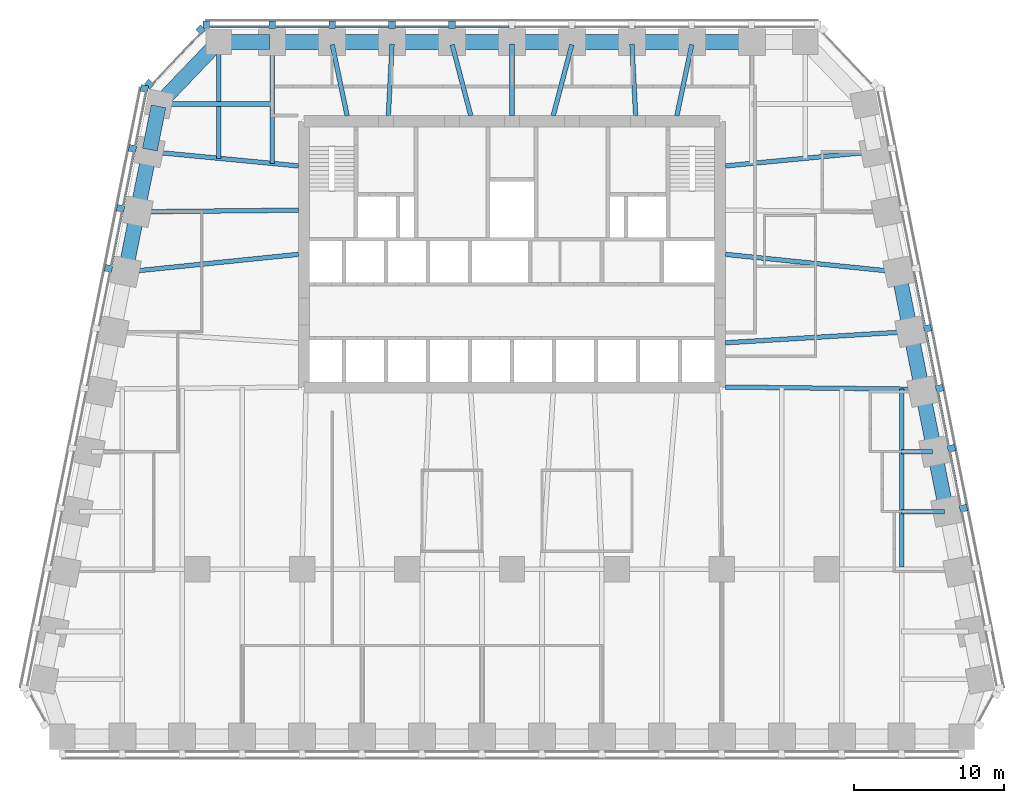
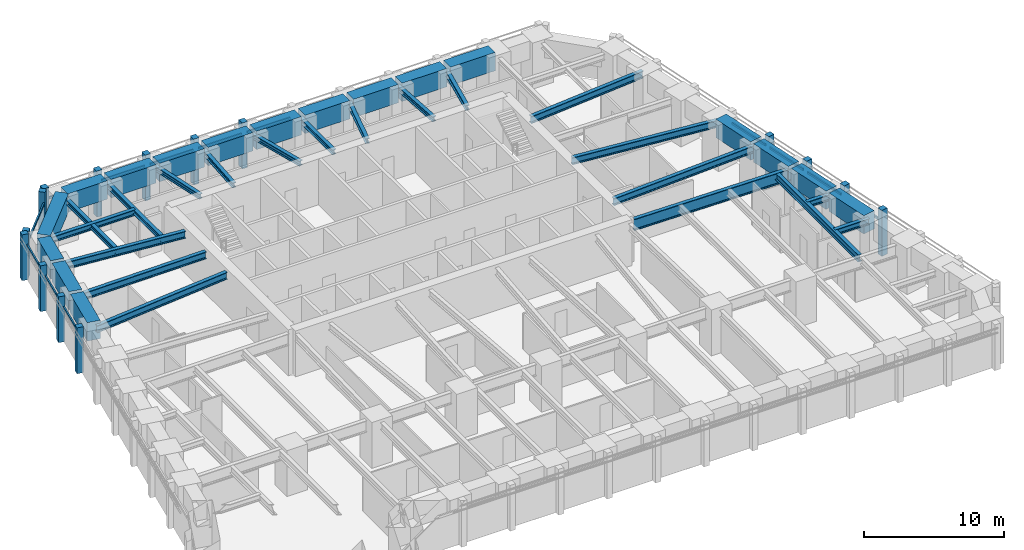
# One storey, part 3 of 10: 37 beams, 28 members, 4 elements without a shape of their own.
"""IFC4 building model written with IfcOpenShell, lengths in metres."""

from ifc_helpers import new_model, si_unit, direction, frame, origin, origin_2d, place, context, subcontext, project, spatial, rectangle, i_section, extrude, material, material_profile, profile_set, type_object, element, aggregate, save


model = new_model("IFC4")

# Units and contexts
model_context = context("Model", 3, precision=1e-05, world=origin(), true_north=direction((0.0, 1.0)))
body_context = subcontext(model_context, "Body", "Model", "MODEL_VIEW")
ifc_project = project(units=[si_unit("LENGTHUNIT", "METRE"), si_unit("AREAUNIT", "SQUARE_METRE"), si_unit("VOLUMEUNIT", "CUBIC_METRE"), si_unit("PLANEANGLEUNIT", "RADIAN"), si_unit("MASSUNIT", "GRAM", prefix="KILO")], contexts=[model_context])

# Site, building, storey
site_placement = place(None, origin())
site = spatial("IfcSite", under=ifc_project, at=site_placement, CompositionType="ELEMENT")
building_placement = place(site_placement, origin())
building = spatial("IfcBuilding", under=site, at=building_placement, Name="Isbrekke Arena Tower", CompositionType="ELEMENT")
storey_placement = place(building_placement, frame((0.0, 0.0, 163.0)))
storey = spatial("IfcBuildingStorey", under=building, at=storey_placement, Name="L37", CompositionType="ELEMENT", Elevation=163.0)

# Beams
ifc_material_1 = material(Name="Steel S355", Category="steel")
ifc_material_profile_1 = material_profile(ifc_material_1, i_section(OverallWidth=0.304931640625, OverallDepth=0.6201171875, WebThickness=0.02099609375, FlangeThickness=0.0400390625, FilletRadius=0.027099609375, at=origin_2d()), Name="HEM 600")
ifc_profile_set_1 = profile_set([ifc_material_profile_1], Name="Steel S355")
beam_type_1 = type_object("IfcBeamType", Name="B4 HEM 600", PredefinedType="BEAM", material=ifc_profile_set_1)
beam_1_placement = place(storey_placement, frame((26.0, -5.84912109375, 3.43994140625), z_axis=(0.0, 1.0, 0.0), x_axis=(-1.0, 0.0, 0.0)))
element("IfcBeam", 1, at=beam_1_placement, inside=storey, type_object=beam_type_1, Name="B4 beam C-M14 L37", PredefinedType="BEAM", context=body_context, shape_type="SweptSolid", body=[
    extrude(i_section(OverallWidth=0.304931640625, OverallDepth=0.6201171875, WebThickness=0.02099609375, FlangeThickness=0.0400390625, FilletRadius=0.027099609375, at=origin_2d()), origin(), (0.0, 0.0, 1.0), 11.864990234375),
])
beam_2_placement = place(storey_placement, frame((26.431884765625, 9.837646484375, 3.43994140625), z_axis=(-0.998172191876, -0.060434057993, 0.0), x_axis=(0.060434057993, -0.998172191876, 0.0)))
element("IfcBeam", 2, at=beam_2_placement, inside=storey, type_object=beam_type_1, Name="B4 beam E-E07 L37", PredefinedType="BEAM", context=body_context, shape_type="SweptSolid", body=[
    extrude(i_section(OverallWidth=0.304931640625, OverallDepth=0.6201171875, WebThickness=0.02099609375, FlangeThickness=0.0400390625, FilletRadius=0.027099609375, at=origin_2d()), origin(), (0.0, 0.0, 1.0), 12.2041015625),
])
beam_3_placement = place(storey_placement, frame((25.625732421875, 13.83984375, 3.43994140625), z_axis=(-0.994839729543, 0.101458920373, 0.0), x_axis=(-0.101458920373, -0.994839729543, 0.0)))
element("IfcBeam", 3, at=beam_3_placement, inside=storey, type_object=beam_type_1, Name="B4 beam E-E08 L37", PredefinedType="BEAM", context=body_context, shape_type="SweptSolid", body=[
    extrude(i_section(OverallWidth=0.304931640625, OverallDepth=0.6201171875, WebThickness=0.02099609375, FlangeThickness=0.0400390625, FilletRadius=0.027099609375, at=origin_2d()), origin(), (0.0, 0.0, 1.0), 11.434814453125),
])
for number, where, z_axis, x_axis, name in (
    (4, (24.026611328125, 21.8369140625, 3.43994140625), (-0.995438539788, -0.095404997271, 0.0), (0.095404997271, -0.995438539788, 0.0), "B4 beam E-E10 L37"),
    (5, (-24.026611328125, 21.8369140625, 3.43994140625), (0.995438539788, -0.095404997271, 0.0), (0.095404997271, 0.995438539788, 0.0), "B4 beam E-W02 L37"),
):
    element("IfcBeam", number, at=place(storey_placement, frame(where, z_axis=z_axis, x_axis=x_axis)), inside=storey, type_object=beam_type_1, Name=name, PredefinedType="BEAM", context=body_context, shape_type="SweptSolid", body=[
        extrude(i_section(OverallWidth=0.304931640625, OverallDepth=0.6201171875, WebThickness=0.02099609375, FlangeThickness=0.0400390625, FilletRadius=0.027099609375, at=origin_2d()), origin(), (0.0, 0.0, 1.0), 9.821533203125),
    ])
beam_4_placement = place(storey_placement, frame((-24.83935546875, 17.838134765625, 3.43994140625), z_axis=(0.999944255029, 0.010558732623, 0.0), x_axis=(-0.010558732623, 0.999944255029, 0.0)))
element("IfcBeam", 6, at=beam_4_placement, inside=storey, type_object=beam_type_1, Name="B4 beam E-W03 L37", PredefinedType="BEAM", context=body_context, shape_type="SweptSolid", body=[
    extrude(i_section(OverallWidth=0.304931640625, OverallDepth=0.6201171875, WebThickness=0.02099609375, FlangeThickness=0.0400390625, FilletRadius=0.027099609375, at=origin_2d()), origin(), (0.0, 0.0, 1.0), 10.58984375),
])
beam_5_placement = place(storey_placement, frame((-25.625732421875, 13.83984375, 3.43994140625), z_axis=(0.994839729543, 0.101458920373, 0.0), x_axis=(-0.101458920373, 0.994839729543, 0.0)))
element("IfcBeam", 7, at=beam_5_placement, inside=storey, type_object=beam_type_1, Name="B4 beam E-W04 L37", PredefinedType="BEAM", context=body_context, shape_type="SweptSolid", body=[
    extrude(i_section(OverallWidth=0.304931640625, OverallDepth=0.6201171875, WebThickness=0.02099609375, FlangeThickness=0.0400390625, FilletRadius=0.027099609375, at=origin_2d()), origin(), (0.0, 0.0, 1.0), 11.434814453125),
])
ifc_material_2 = material(Name="Steel S355", Category="steel")
ifc_material_profile_2 = material_profile(ifc_material_2, i_section(OverallWidth=0.305908203125, OverallDepth=0.52392578125, WebThickness=0.02099609375, FlangeThickness=0.0400390625, FilletRadius=0.027099609375, at=origin_2d()), Name="HEM 500")
ifc_profile_set_2 = profile_set([ifc_material_profile_2], Name="Steel S355")
beam_type_2 = type_object("IfcBeamType", Name="B5 HEM 500", PredefinedType="BEAM", material=ifc_profile_set_2)
beam_6_placement = place(storey_placement, frame((28.841064453125, -2.161865234375, 3.488037109375), z_axis=(-1.0, 0.0, 0.0), x_axis=(0.0, -1.0, 0.0)))
element("IfcBeam", 8, at=beam_6_placement, inside=storey, type_object=beam_type_2, Name="B5 beam E-E04 L37", PredefinedType="BEAM", context=body_context, shape_type="SweptSolid", body=[
    extrude(i_section(OverallWidth=0.305908203125, OverallDepth=0.52392578125, WebThickness=0.02099609375, FlangeThickness=0.0400390625, FilletRadius=0.027099609375, at=origin_2d()), origin(), (0.0, 0.0, 1.0), 2.841064453125),
])
beam_7_placement = place(storey_placement, frame((28.041015625, 1.838134765625, 3.488037109375), z_axis=(-1.0, 0.0, 0.0), x_axis=(0.0, -1.0, 0.0)))
element("IfcBeam", 9, at=beam_7_placement, inside=storey, type_object=beam_type_2, Name="B5 beam E-E05 L37", PredefinedType="BEAM", context=body_context, shape_type="SweptSolid", body=[
    extrude(i_section(OverallWidth=0.305908203125, OverallDepth=0.52392578125, WebThickness=0.02099609375, FlangeThickness=0.0400390625, FilletRadius=0.027099609375, at=origin_2d()), origin(), (0.0, 0.0, 1.0), 2.041015625),
])
beam_8_placement = place(storey_placement, frame((-23.40283203125, 25.029296875, 3.488037109375), z_axis=(1.0, 0.0, 0.0), x_axis=(0.0, 1.0, 0.0)))
element("IfcBeam", 10, at=beam_8_placement, inside=storey, type_object=beam_type_2, Name="B5 beam E-W01 L37", PredefinedType="BEAM", context=body_context, shape_type="SweptSolid", body=[
    extrude(i_section(OverallWidth=0.305908203125, OverallDepth=0.52392578125, WebThickness=0.02099609375, FlangeThickness=0.0400390625, FilletRadius=0.027099609375, at=origin_2d()), origin(), (0.0, 0.0, 1.0), 7.40283203125),
])
ifc_material_3 = material(Name="Steel S355", Category="steel")
ifc_material_profile_3 = material_profile(ifc_material_3, i_section(OverallWidth=0.306884765625, OverallDepth=0.431884765625, WebThickness=0.02099609375, FlangeThickness=0.0400390625, FilletRadius=0.027099609375, at=origin_2d()), Name="HEM 400")
ifc_profile_set_3 = profile_set([ifc_material_profile_3], Name="Steel S355")
beam_type_3 = type_object("IfcBeamType", Name="B6 HEM 400", PredefinedType="BEAM", material=ifc_profile_set_3)
beam_9_placement = place(storey_placement, frame((-16.0, 29.02490234375, 3.533935546875), z_axis=(0.0, -1.0, 0.0), x_axis=(1.0, 0.0, 0.0)))
element("IfcBeam", 11, at=beam_9_placement, inside=storey, type_object=beam_type_3, Name="B6 beam N-N10 L37", PredefinedType="BEAM", context=body_context, shape_type="SweptSolid", body=[
    extrude(i_section(OverallWidth=0.306884765625, OverallDepth=0.431884765625, WebThickness=0.02099609375, FlangeThickness=0.0400390625, FilletRadius=0.027099609375, at=origin_2d()), origin(), (0.0, 0.0, 1.0), 7.957275390625),
])
beam_10_placement = place(storey_placement, frame((-19.574951171875, 29.02490234375, 3.533935546875), z_axis=(0.0, -1.0, 0.0), x_axis=(1.0, 0.0, 0.0)))
element("IfcBeam", 12, at=beam_10_placement, inside=storey, type_object=beam_type_3, Name="B6 beam N-N11 L37", PredefinedType="BEAM", context=body_context, shape_type="SweptSolid", body=[
    extrude(i_section(OverallWidth=0.306884765625, OverallDepth=0.431884765625, WebThickness=0.02099609375, FlangeThickness=0.0400390625, FilletRadius=0.027099609375, at=origin_2d()), origin(), (0.0, 0.0, 1.0), 7.61474609375),
])
beam_11_placement = place(storey_placement, frame((11.99365234375, 28.994140625, 3.533935546875), z_axis=(-0.205000060664, -0.978761960401, 0.0), x_axis=(0.978761960401, -0.205000060664, 0.0)))
element("IfcBeam", 13, at=beam_11_placement, inside=storey, type_object=beam_type_3, Name="B6 beam N-N03 L37", PredefinedType="BEAM", context=body_context, shape_type="SweptSolid", body=[
    extrude(i_section(OverallWidth=0.306884765625, OverallDepth=0.431884765625, WebThickness=0.02099609375, FlangeThickness=0.0400390625, FilletRadius=0.027099609375, at=origin_2d()), origin(), (0.0, 0.0, 1.0), 4.84716796875),
])
beam_12_placement = place(storey_placement, frame((8.00048828125, 29.01708984375, 3.533935546875), z_axis=(0.052268922084, -0.99863304561, 0.0), x_axis=(0.99863304561, 0.052268922084, 0.0)))
element("IfcBeam", 14, at=beam_12_placement, inside=storey, type_object=beam_type_3, Name="B6 beam N-N04 L37", PredefinedType="BEAM", context=body_context, shape_type="SweptSolid", body=[
    extrude(i_section(OverallWidth=0.306884765625, OverallDepth=0.431884765625, WebThickness=0.02099609375, FlangeThickness=0.0400390625, FilletRadius=0.027099609375, at=origin_2d()), origin(), (0.0, 0.0, 1.0), 4.773681640625),
])
beam_13_placement = place(storey_placement, frame((3.990234375, 28.9873046875, 3.533935546875), z_axis=(-0.253266080154, -0.967396657346, 0.0), x_axis=(0.967396657346, -0.253266080154, 0.0)))
element("IfcBeam", 15, at=beam_13_placement, inside=storey, type_object=beam_type_3, Name="B6 beam N-N05 L37", PredefinedType="BEAM", context=body_context, shape_type="SweptSolid", body=[
    extrude(i_section(OverallWidth=0.306884765625, OverallDepth=0.431884765625, WebThickness=0.02099609375, FlangeThickness=0.0400390625, FilletRadius=0.027099609375, at=origin_2d()), origin(), (0.0, 0.0, 1.0), 4.89697265625),
])
beam_14_placement = place(storey_placement, frame((0.0, 29.02490234375, 3.533935546875), z_axis=(0.0, -1.0, 0.0), x_axis=(1.0, 0.0, 0.0)))
element("IfcBeam", 16, at=beam_14_placement, inside=storey, type_object=beam_type_3, Name="B6 beam N-N06 L37", PredefinedType="BEAM", context=body_context, shape_type="SweptSolid", body=[
    extrude(i_section(OverallWidth=0.306884765625, OverallDepth=0.431884765625, WebThickness=0.02099609375, FlangeThickness=0.0400390625, FilletRadius=0.027099609375, at=origin_2d()), origin(), (0.0, 0.0, 1.0), 4.77490234375),
])
beam_15_placement = place(storey_placement, frame((-3.990234375, 28.9873046875, 3.533935546875), z_axis=(0.253266080154, -0.967396657346, 0.0), x_axis=(0.967396657346, 0.253266080154, 0.0)))
element("IfcBeam", 17, at=beam_15_placement, inside=storey, type_object=beam_type_3, Name="B6 beam N-N07 L37", PredefinedType="BEAM", context=body_context, shape_type="SweptSolid", body=[
    extrude(i_section(OverallWidth=0.306884765625, OverallDepth=0.431884765625, WebThickness=0.02099609375, FlangeThickness=0.0400390625, FilletRadius=0.027099609375, at=origin_2d()), origin(), (0.0, 0.0, 1.0), 4.89697265625),
])
beam_16_placement = place(storey_placement, frame((-8.00048828125, 29.01708984375, 3.533935546875), z_axis=(-0.052268922084, -0.99863304561, 0.0), x_axis=(0.99863304561, -0.052268922084, 0.0)))
element("IfcBeam", 18, at=beam_16_placement, inside=storey, type_object=beam_type_3, Name="B6 beam N-N08 L37", PredefinedType="BEAM", context=body_context, shape_type="SweptSolid", body=[
    extrude(i_section(OverallWidth=0.306884765625, OverallDepth=0.431884765625, WebThickness=0.02099609375, FlangeThickness=0.0400390625, FilletRadius=0.027099609375, at=origin_2d()), origin(), (0.0, 0.0, 1.0), 4.773681640625),
])
beam_17_placement = place(storey_placement, frame((-11.99365234375, 28.994140625, 3.533935546875), z_axis=(0.205000060664, -0.978761960401, 0.0), x_axis=(0.978761960401, 0.205000060664, 0.0)))
element("IfcBeam", 19, at=beam_17_placement, inside=storey, type_object=beam_type_3, Name="B6 beam N-N09 L37", PredefinedType="BEAM", context=body_context, shape_type="SweptSolid", body=[
    extrude(i_section(OverallWidth=0.306884765625, OverallDepth=0.431884765625, WebThickness=0.02099609375, FlangeThickness=0.0400390625, FilletRadius=0.027099609375, at=origin_2d()), origin(), (0.0, 0.0, 1.0), 4.84716796875),
])

# Curtain wall, members
ifc_material_4 = material(Name="Glazed aluminium curtain wall", Category="aluminium")
curtain_wall_type = type_object("IfcCurtainWallType", Name="CWM TOWER CURTAIN WALL MID ZONE", PredefinedType="USERDEFINED", material=ifc_material_4)
curtain_wall_1_placement = place(storey_placement, origin())
curtain_wall_1 = element("IfcCurtainWall", 20, at=curtain_wall_1_placement, inside=storey, type_object=curtain_wall_type, Name="CWM curtain wall L37-E", ObjectType="TOWER CURTAIN WALL MID ZONE", PredefinedType="USERDEFINED")
ifc_material_5 = material(Name="Aluminium mullion, pale brick slip cladding", Category="masonry")
ifc_material_profile_4 = material_profile(ifc_material_5, rectangle(XDim=0.449951171875, YDim=0.5, at=origin_2d()), Name="PIER 450X500")
ifc_profile_set_4 = profile_set([ifc_material_profile_4], Name="Aluminium mullion, pale brick slip cladding")
member_type_1 = type_object("IfcMemberType", Name="CWM-M PIER MULLION 450 x 500", PredefinedType="MULLION", material=ifc_profile_set_4)
member_1_placement = place(storey_placement, frame((30.11865234375, -1.936279296875, 0.0), z_axis=(0.0, 0.0, 1.0), x_axis=(-0.196116135138, 0.980580675691, 0.0)))
member_1 = element("IfcMember", 21, at=member_1_placement, type_object=member_type_1, Name="CWM-M mullion 4", PredefinedType="MULLION", context=body_context, shape_type="SweptSolid", body=[
    extrude(rectangle(XDim=0.449951171875, YDim=0.5, at=origin_2d()), origin(), (0.0, 0.0, 1.0), 4.0),
])
member_2_placement = place(storey_placement, frame((29.318603515625, 2.063720703125, 0.0), z_axis=(0.0, 0.0, 1.0), x_axis=(-0.196116135138, 0.980580675691, 0.0)))
member_2 = element("IfcMember", 22, at=member_2_placement, type_object=member_type_1, Name="CWM-M mullion 5", PredefinedType="MULLION", context=body_context, shape_type="SweptSolid", body=[
    extrude(rectangle(XDim=0.449951171875, YDim=0.5, at=origin_2d()), origin(), (0.0, 0.0, 1.0), 4.0),
])
member_3_placement = place(storey_placement, frame((28.518798828125, 6.063720703125, 0.0), z_axis=(0.0, 0.0, 1.0), x_axis=(-0.196116135138, 0.980580675691, 0.0)))
member_3 = element("IfcMember", 23, at=member_3_placement, type_object=member_type_1, Name="CWM-M mullion 6", PredefinedType="MULLION", context=body_context, shape_type="SweptSolid", body=[
    extrude(rectangle(XDim=0.449951171875, YDim=0.5, at=origin_2d()), origin(), (0.0, 0.0, 1.0), 4.0),
])
member_4_placement = place(storey_placement, frame((27.71875, 10.063720703125, 0.0), z_axis=(0.0, 0.0, 1.0), x_axis=(-0.196116135138, 0.980580675691, 0.0)))
member_4 = element("IfcMember", 24, at=member_4_placement, type_object=member_type_1, Name="CWM-M mullion 7", PredefinedType="MULLION", context=body_context, shape_type="SweptSolid", body=[
    extrude(rectangle(XDim=0.449951171875, YDim=0.5, at=origin_2d()), origin(), (0.0, 0.0, 1.0), 4.0),
])

curtain_wall_2_placement = place(storey_placement, origin())
curtain_wall_2 = element("IfcCurtainWall", 25, at=curtain_wall_2_placement, inside=storey, type_object=curtain_wall_type, Name="CWM curtain wall L37-N", ObjectType="TOWER CURTAIN WALL MID ZONE", PredefinedType="USERDEFINED")
member_5_placement = place(storey_placement, frame((-4.0, 30.324951171875, 0.0), z_axis=(0.0, 0.0, 1.0), x_axis=(-1.0, 0.0, 0.0)))
member_5 = element("IfcMember", 26, at=member_5_placement, type_object=member_type_1, Name="CWM-M mullion 7", PredefinedType="MULLION", context=body_context, shape_type="SweptSolid", body=[
    extrude(rectangle(XDim=0.449951171875, YDim=0.5, at=origin_2d()), origin(), (0.0, 0.0, 1.0), 4.0),
])
member_6_placement = place(storey_placement, frame((-8.0, 30.324951171875, 0.0), z_axis=(0.0, 0.0, 1.0), x_axis=(-1.0, 0.0, 0.0)))
member_6 = element("IfcMember", 27, at=member_6_placement, type_object=member_type_1, Name="CWM-M mullion 8", PredefinedType="MULLION", context=body_context, shape_type="SweptSolid", body=[
    extrude(rectangle(XDim=0.449951171875, YDim=0.5, at=origin_2d()), origin(), (0.0, 0.0, 1.0), 4.0),
])
member_7_placement = place(storey_placement, frame((-12.0, 30.324951171875, 0.0), z_axis=(0.0, 0.0, 1.0), x_axis=(-1.0, 0.0, 0.0)))
member_7 = element("IfcMember", 28, at=member_7_placement, type_object=member_type_1, Name="CWM-M mullion 9", PredefinedType="MULLION", context=body_context, shape_type="SweptSolid", body=[
    extrude(rectangle(XDim=0.449951171875, YDim=0.5, at=origin_2d()), origin(), (0.0, 0.0, 1.0), 4.0),
])
member_8_placement = place(storey_placement, frame((-16.0, 30.324951171875, 0.0), z_axis=(0.0, 0.0, 1.0), x_axis=(-1.0, 0.0, 0.0)))
member_8 = element("IfcMember", 29, at=member_8_placement, type_object=member_type_1, Name="CWM-M mullion 10", PredefinedType="MULLION", context=body_context, shape_type="SweptSolid", body=[
    extrude(rectangle(XDim=0.449951171875, YDim=0.5, at=origin_2d()), origin(), (0.0, 0.0, 1.0), 4.0),
])
member_9_placement = place(storey_placement, frame((-20.39990234375, 30.324951171875, 0.0), z_axis=(0.0, 0.0, 1.0), x_axis=(-1.0, 0.0, 0.0)))
member_9 = element("IfcMember", 30, at=member_9_placement, type_object=member_type_1, Name="CWM-M mullion 11", PredefinedType="MULLION", context=body_context, shape_type="SweptSolid", body=[
    extrude(rectangle(XDim=0.449951171875, YDim=0.5, at=origin_2d()), origin(), (0.0, 0.0, 1.0), 4.0),
])

curtain_wall_3_placement = place(storey_placement, origin())
curtain_wall_3 = element("IfcCurtainWall", 31, at=curtain_wall_3_placement, inside=storey, type_object=curtain_wall_type, Name="CWM curtain wall L37-NW", ObjectType="TOWER CURTAIN WALL MID ZONE", PredefinedType="USERDEFINED")
member_10_placement = place(storey_placement, frame((-20.759033203125, 29.985107421875, 0.0), z_axis=(0.0, 0.0, 1.0), x_axis=(-0.68874946192, -0.72499943359, 0.0)))
member_10 = element("IfcMember", 32, at=member_10_placement, type_object=member_type_1, Name="CWM-M mullion 1", PredefinedType="MULLION", context=body_context, shape_type="SweptSolid", body=[
    extrude(rectangle(XDim=0.449951171875, YDim=0.5, at=origin_2d()), origin(), (0.0, 0.0, 1.0), 4.0),
])
member_11_placement = place(storey_placement, frame((-24.207763671875, 26.35498046875, 0.0), z_axis=(0.0, 0.0, 1.0), x_axis=(-0.68874946192, -0.72499943359, 0.0)))
member_11 = element("IfcMember", 33, at=member_11_placement, type_object=member_type_1, Name="CWM-M mullion 2", PredefinedType="MULLION", context=body_context, shape_type="SweptSolid", body=[
    extrude(rectangle(XDim=0.449951171875, YDim=0.5, at=origin_2d()), origin(), (0.0, 0.0, 1.0), 4.0),
])

curtain_wall_4_placement = place(storey_placement, origin())
curtain_wall_4 = element("IfcCurtainWall", 34, at=curtain_wall_4_placement, inside=storey, type_object=curtain_wall_type, Name="CWM curtain wall L37-W", ObjectType="TOWER CURTAIN WALL MID ZONE", PredefinedType="USERDEFINED")
member_12_placement = place(storey_placement, frame((-24.518798828125, 26.063720703125, 0.0), z_axis=(0.0, 0.0, 1.0), x_axis=(-0.196116135138, -0.980580675691, 0.0)))
member_12 = element("IfcMember", 35, at=member_12_placement, type_object=member_type_1, Name="CWM-M mullion 1", PredefinedType="MULLION", context=body_context, shape_type="SweptSolid", body=[
    extrude(rectangle(XDim=0.449951171875, YDim=0.5, at=origin_2d()), origin(), (0.0, 0.0, 1.0), 4.0),
])
member_13_placement = place(storey_placement, frame((-25.318603515625, 22.063720703125, 0.0), z_axis=(0.0, 0.0, 1.0), x_axis=(-0.196116135138, -0.980580675691, 0.0)))
member_13 = element("IfcMember", 36, at=member_13_placement, type_object=member_type_1, Name="CWM-M mullion 2", PredefinedType="MULLION", context=body_context, shape_type="SweptSolid", body=[
    extrude(rectangle(XDim=0.449951171875, YDim=0.5, at=origin_2d()), origin(), (0.0, 0.0, 1.0), 4.0),
])
member_14_placement = place(storey_placement, frame((-26.11865234375, 18.063720703125, 0.0), z_axis=(0.0, 0.0, 1.0), x_axis=(-0.196116135138, -0.980580675691, 0.0)))
member_14 = element("IfcMember", 37, at=member_14_placement, type_object=member_type_1, Name="CWM-M mullion 3", PredefinedType="MULLION", context=body_context, shape_type="SweptSolid", body=[
    extrude(rectangle(XDim=0.449951171875, YDim=0.5, at=origin_2d()), origin(), (0.0, 0.0, 1.0), 4.0),
])
member_15_placement = place(storey_placement, frame((-26.918701171875, 14.063720703125, 0.0), z_axis=(0.0, 0.0, 1.0), x_axis=(-0.196116135138, -0.980580675691, 0.0)))
member_15 = element("IfcMember", 38, at=member_15_placement, type_object=member_type_1, Name="CWM-M mullion 4", PredefinedType="MULLION", context=body_context, shape_type="SweptSolid", body=[
    extrude(rectangle(XDim=0.449951171875, YDim=0.5, at=origin_2d()), origin(), (0.0, 0.0, 1.0), 4.0),
])

# Member
ifc_material_6 = material(Name="Aluminium transom", Category="aluminium")
ifc_material_profile_5 = material_profile(ifc_material_6, rectangle(XDim=0.1201171875, YDim=0.199951171875, at=origin_2d()), Name="TRANSOM 120X200")
ifc_profile_set_5 = profile_set([ifc_material_profile_5], Name="Aluminium transom")
member_type_2 = type_object("IfcMemberType", Name="CWM-T TRANSOM 120 x 200", PredefinedType="USERDEFINED", material=ifc_profile_set_5)
member_16_placement = place(storey_placement, frame((29.927490234375, -1.7451171875, 3.0), z_axis=(-0.196090262229, 0.980585849918, 0.0), x_axis=(-0.980585849918, -0.196090262229, 0.0)))
member_16 = element("IfcMember", 39, at=member_16_placement, type_object=member_type_2, Name="CWM-T transom 4", ObjectType="TRANSOM", PredefinedType="USERDEFINED", context=body_context, shape_type="SweptSolid", body=[
    extrude(rectangle(XDim=0.1201171875, YDim=0.199951171875, at=origin_2d()), origin(), (0.0, 0.0, 1.0), 3.62939453125),
])

member_17_placement = place(storey_placement, frame((29.12744140625, 2.2548828125, 3.0), z_axis=(-0.196090262229, 0.980585849918, 0.0), x_axis=(-0.980585849918, -0.196090262229, 0.0)))
member_17 = element("IfcMember", 40, at=member_17_placement, type_object=member_type_2, Name="CWM-T transom 5", ObjectType="TRANSOM", PredefinedType="USERDEFINED", context=body_context, shape_type="SweptSolid", body=[
    extrude(rectangle(XDim=0.1201171875, YDim=0.199951171875, at=origin_2d()), origin(), (0.0, 0.0, 1.0), 3.62939453125),
])

member_18_placement = place(storey_placement, frame((28.327392578125, 6.2548828125, 3.0), z_axis=(-0.196090262229, 0.980585849918, 0.0), x_axis=(-0.980585849918, -0.196090262229, 0.0)))
member_18 = element("IfcMember", 41, at=member_18_placement, type_object=member_type_2, Name="CWM-T transom 6", ObjectType="TRANSOM", PredefinedType="USERDEFINED", context=body_context, shape_type="SweptSolid", body=[
    extrude(rectangle(XDim=0.1201171875, YDim=0.199951171875, at=origin_2d()), origin(), (0.0, 0.0, 1.0), 3.62939453125),
])

member_19_placement = place(storey_placement, frame((27.527587890625, 10.2548828125, 3.0), z_axis=(-0.196154943734, 0.980572913173, 0.0), x_axis=(-0.980572913173, -0.196154943734, 0.0)))
member_19 = element("IfcMember", 42, at=member_19_placement, type_object=member_type_2, Name="CWM-T transom 7", ObjectType="TRANSOM", PredefinedType="USERDEFINED", context=body_context, shape_type="SweptSolid", body=[
    extrude(rectangle(XDim=0.1201171875, YDim=0.199951171875, at=origin_2d()), origin(), (0.0, 0.0, 1.0), 3.62939453125),
])

aggregate(curtain_wall_1, [member_1, member_2, member_3, member_4, member_16, member_17, member_18, member_19])

member_20_placement = place(storey_placement, frame((-0.22509765625, 30.175048828125, 3.0), z_axis=(-1.0, 0.0, 0.0), x_axis=(0.0, -1.0, 0.0)))
member_20 = element("IfcMember", 43, at=member_20_placement, type_object=member_type_2, Name="CWM-T transom 6", ObjectType="TRANSOM", PredefinedType="USERDEFINED", context=body_context, shape_type="SweptSolid", body=[
    extrude(rectangle(XDim=0.1201171875, YDim=0.199951171875, at=origin_2d()), origin(), (0.0, 0.0, 1.0), 3.5498046875),
])

member_21_placement = place(storey_placement, frame((-4.22509765625, 30.175048828125, 3.0), z_axis=(-1.0, 0.0, 0.0), x_axis=(0.0, -1.0, 0.0)))
member_21 = element("IfcMember", 44, at=member_21_placement, type_object=member_type_2, Name="CWM-T transom 7", ObjectType="TRANSOM", PredefinedType="USERDEFINED", context=body_context, shape_type="SweptSolid", body=[
    extrude(rectangle(XDim=0.1201171875, YDim=0.199951171875, at=origin_2d()), origin(), (0.0, 0.0, 1.0), 3.5498046875),
])

member_22_placement = place(storey_placement, frame((-8.22509765625, 30.175048828125, 3.0), z_axis=(-1.0, 0.0, 0.0), x_axis=(0.0, -1.0, 0.0)))
member_22 = element("IfcMember", 45, at=member_22_placement, type_object=member_type_2, Name="CWM-T transom 8", ObjectType="TRANSOM", PredefinedType="USERDEFINED", context=body_context, shape_type="SweptSolid", body=[
    extrude(rectangle(XDim=0.1201171875, YDim=0.199951171875, at=origin_2d()), origin(), (0.0, 0.0, 1.0), 3.5498046875),
])

member_23_placement = place(storey_placement, frame((-12.22509765625, 30.175048828125, 3.0), z_axis=(-1.0, 0.0, 0.0), x_axis=(0.0, -1.0, 0.0)))
member_23 = element("IfcMember", 46, at=member_23_placement, type_object=member_type_2, Name="CWM-T transom 9", ObjectType="TRANSOM", PredefinedType="USERDEFINED", context=body_context, shape_type="SweptSolid", body=[
    extrude(rectangle(XDim=0.1201171875, YDim=0.199951171875, at=origin_2d()), origin(), (0.0, 0.0, 1.0), 3.5498046875),
])

member_24_placement = place(storey_placement, frame((-16.22509765625, 30.175048828125, 3.0), z_axis=(-1.0, 0.0, 0.0), x_axis=(0.0, -1.0, 0.0)))
member_24 = element("IfcMember", 47, at=member_24_placement, type_object=member_type_2, Name="CWM-T transom 10", ObjectType="TRANSOM", PredefinedType="USERDEFINED", context=body_context, shape_type="SweptSolid", body=[
    extrude(rectangle(XDim=0.1201171875, YDim=0.199951171875, at=origin_2d()), origin(), (0.0, 0.0, 1.0), 3.949951171875),
])

aggregate(curtain_wall_2, [member_5, member_6, member_7, member_8, member_9, member_20, member_21, member_22, member_23, member_24])

member_25_placement = place(storey_placement, frame((-20.80517578125, 29.71875, 3.0), z_axis=(-0.688739606035, -0.725008796552, 0.0), x_axis=(0.725008796552, -0.688739606035, 0.0)))
member_25 = element("IfcMember", 48, at=member_25_placement, type_object=member_type_2, Name="CWM-T transom 1", ObjectType="TRANSOM", PredefinedType="USERDEFINED", context=body_context, shape_type="SweptSolid", body=[
    extrude(rectangle(XDim=0.1201171875, YDim=0.199951171875, at=origin_2d()), origin(), (0.0, 0.0, 1.0), 4.55712890625),
])

aggregate(curtain_wall_3, [member_10, member_11, member_25])

member_26_placement = place(storey_placement, frame((-24.415771484375, 25.813720703125, 3.0), z_axis=(-0.196090262229, -0.980585849918, 0.0), x_axis=(0.980585849918, -0.196090262229, 0.0)))
member_26 = element("IfcMember", 49, at=member_26_placement, type_object=member_type_2, Name="CWM-T transom 1", ObjectType="TRANSOM", PredefinedType="USERDEFINED", context=body_context, shape_type="SweptSolid", body=[
    extrude(rectangle(XDim=0.1201171875, YDim=0.199951171875, at=origin_2d()), origin(), (0.0, 0.0, 1.0), 3.62939453125),
])

member_27_placement = place(storey_placement, frame((-25.2158203125, 21.813720703125, 3.0), z_axis=(-0.196090262229, -0.980585849918, 0.0), x_axis=(0.980585849918, -0.196090262229, 0.0)))
member_27 = element("IfcMember", 50, at=member_27_placement, type_object=member_type_2, Name="CWM-T transom 2", ObjectType="TRANSOM", PredefinedType="USERDEFINED", context=body_context, shape_type="SweptSolid", body=[
    extrude(rectangle(XDim=0.1201171875, YDim=0.199951171875, at=origin_2d()), origin(), (0.0, 0.0, 1.0), 3.62939453125),
])

member_28_placement = place(storey_placement, frame((-26.015625, 17.813720703125, 3.0), z_axis=(-0.196154943734, -0.980572913173, 0.0), x_axis=(0.980572913173, -0.196154943734, 0.0)))
member_28 = element("IfcMember", 51, at=member_28_placement, type_object=member_type_2, Name="CWM-T transom 3", ObjectType="TRANSOM", PredefinedType="USERDEFINED", context=body_context, shape_type="SweptSolid", body=[
    extrude(rectangle(XDim=0.1201171875, YDim=0.199951171875, at=origin_2d()), origin(), (0.0, 0.0, 1.0), 3.62939453125),
])

aggregate(curtain_wall_4, [member_12, member_13, member_14, member_15, member_26, member_27, member_28])

# Beams
ifc_material_7 = material(Name="Steel S355", Category="steel")
ifc_material_profile_6 = material_profile(ifc_material_7, i_section(OverallWidth=0.302001953125, OverallDepth=1.008056640625, WebThickness=0.02099609375, FlangeThickness=0.0400390625, FilletRadius=0.030029296875, at=origin_2d()), Name="HEM 1000")
ifc_profile_set_6 = profile_set([ifc_material_profile_6], Name="Steel S355")
beam_type_4 = type_object("IfcBeamType", Name="G2 HEM 1000", PredefinedType="BEAM", material=ifc_profile_set_6)
beam_18_placement = place(storey_placement, frame((14.25, 6.14990234375, 3.24609375), z_axis=(0.999934928157, -0.011407867963, 0.0), x_axis=(0.011407867963, 0.999934928157, 0.0)))
element("IfcBeam", 52, at=beam_18_placement, inside=storey, type_object=beam_type_4, Name="G2 beam G2-E L37", PredefinedType="BEAM", context=body_context, shape_type="SweptSolid", body=[
    extrude(i_section(OverallWidth=0.302001953125, OverallDepth=1.008056640625, WebThickness=0.02099609375, FlangeThickness=0.0400390625, FilletRadius=0.030029296875, at=origin_2d()), origin(), (0.0, 0.0, 1.0), 13.140380859375),
])
ifc_material_8 = material(Name="Concrete B80 (C80/95)", Category="concrete")
ifc_material_profile_7 = material_profile(ifc_material_8, rectangle(XDim=1.0, YDim=1.60009765625, at=origin_2d()), Name="RC 1000x1600")
ifc_profile_set_7 = profile_set([ifc_material_profile_7], Name="Concrete B80 (C80/95)")
beam_type_5 = type_object("IfcBeamType", Name="SB2 RC 1000 x 1600", PredefinedType="SPANDREL", material=ifc_profile_set_7)
for number, where, z_axis, x_axis, name in (
    (53, (28.961669921875, -2.0146484375, 3.199951171875), (-0.196128558387, 0.980578190959, 0.0), (-0.980578190959, -0.196128558387, 0.0), "SB2 spandrel E04-E05 L37"),
    (54, (28.16162109375, 1.9853515625, 3.199951171875), (-0.196128558387, 0.980578190959, 0.0), (-0.980578190959, -0.196128558387, 0.0), "SB2 spandrel E05-E06 L37"),
    (55, (27.361572265625, 5.9853515625, 3.199951171875), (-0.196128558387, 0.980578190959, 0.0), (-0.980578190959, -0.196128558387, 0.0), "SB2 spandrel E06-E07 L37"),
):
    element("IfcBeam", number, at=place(storey_placement, frame(where, z_axis=z_axis, x_axis=x_axis)), inside=storey, type_object=beam_type_5, Name=name, PredefinedType="SPANDREL", context=body_context, shape_type="SweptSolid", body=[
        extrude(rectangle(XDim=1.0, YDim=1.60009765625, at=origin_2d()), origin(), (0.0, 0.0, 1.0), 3.779296875),
    ])
beam_19_placement = place(storey_placement, frame((26.5615234375, 9.9853515625, 3.199951171875), z_axis=(-0.1960664412, 0.980590613169, 0.0), x_axis=(-0.980590613169, -0.1960664412, 0.0)))
element("IfcBeam", 56, at=beam_19_placement, inside=storey, type_object=beam_type_5, Name="SB2 spandrel E07-E08 L37", PredefinedType="SPANDREL", context=body_context, shape_type="SweptSolid", body=[
    extrude(rectangle(XDim=1.0, YDim=1.60009765625, at=origin_2d()), origin(), (0.0, 0.0, 1.0), 3.779052734375),
])
for number, where, z_axis, x_axis, name in (
    (57, (15.85009765625, 29.175048828125, 3.199951171875), (-1.0, 0.0, 0.0), (0.0, -1.0, 0.0), "SB2 spandrel N02-N03 L37"),
    (58, (11.85009765625, 29.175048828125, 3.199951171875), (-1.0, 0.0, 0.0), (0.0, -1.0, 0.0), "SB2 spandrel N03-N04 L37"),
    (59, (7.85009765625, 29.175048828125, 3.199951171875), (-1.0, 0.0, 0.0), (0.0, -1.0, 0.0), "SB2 spandrel N04-N05 L37"),
    (60, (3.85009765625, 29.175048828125, 3.199951171875), (-1.0, 0.0, 0.0), (0.0, -1.0, 0.0), "SB2 spandrel N05-N06 L37"),
    (61, (-0.14990234375, 29.175048828125, 3.199951171875), (-1.0, 0.0, 0.0), (0.0, -1.0, 0.0), "SB2 spandrel N06-N07 L37"),
    (62, (-4.14990234375, 29.175048828125, 3.199951171875), (-1.0, 0.0, 0.0), (0.0, -1.0, 0.0), "SB2 spandrel N07-N08 L37"),
    (63, (-8.14990234375, 29.175048828125, 3.199951171875), (-1.0, 0.0, 0.0), (0.0, -1.0, 0.0), "SB2 spandrel N08-N09 L37"),
    (64, (-12.14990234375, 29.175048828125, 3.199951171875), (-1.0, 0.0, 0.0), (0.0, -1.0, 0.0), "SB2 spandrel N09-N10 L37"),
):
    element("IfcBeam", number, at=place(storey_placement, frame(where, z_axis=z_axis, x_axis=x_axis)), inside=storey, type_object=beam_type_5, Name=name, PredefinedType="SPANDREL", context=body_context, shape_type="SweptSolid", body=[
        extrude(rectangle(XDim=1.0, YDim=1.60009765625, at=origin_2d()), origin(), (0.0, 0.0, 1.0), 3.7001953125),
    ])
beam_20_placement = place(storey_placement, frame((-16.14990234375, 29.175048828125, 3.199951171875), z_axis=(-1.0, 0.0, 0.0), x_axis=(0.0, -1.0, 0.0)))
element("IfcBeam", 65, at=beam_20_placement, inside=storey, type_object=beam_type_5, Name="SB2 spandrel N10-N11 L37", PredefinedType="SPANDREL", context=body_context, shape_type="SweptSolid", body=[
    extrude(rectangle(XDim=1.0, YDim=1.60009765625, at=origin_2d()), origin(), (0.0, 0.0, 1.0), 3.275146484375),
])
beam_21_placement = place(storey_placement, frame((-19.678955078125, 29.066650390625, 3.199951171875), z_axis=(-0.692339547635, -0.721571861134, 0.0), x_axis=(0.721571861134, -0.692339547635, 0.0)))
element("IfcBeam", 66, at=beam_21_placement, inside=storey, type_object=beam_type_5, Name="SB2 spandrel N11-W01 L37", PredefinedType="SPANDREL", context=body_context, shape_type="SweptSolid", body=[
    extrude(rectangle(XDim=1.0, YDim=1.60009765625, at=origin_2d()), origin(), (0.0, 0.0, 1.0), 5.4453125),
])
beam_22_placement = place(storey_placement, frame((-23.582275390625, 24.882080078125, 3.199951171875), z_axis=(-0.196116135138, -0.980580675691, 0.0), x_axis=(0.980580675691, -0.196116135138, 0.0)))
element("IfcBeam", 67, at=beam_22_placement, inside=storey, type_object=beam_type_5, Name="SB2 spandrel W01-W02 L37", PredefinedType="SPANDREL", context=body_context, shape_type="SweptSolid", body=[
    extrude(rectangle(XDim=1.0, YDim=1.60009765625, at=origin_2d()), origin(), (0.0, 0.0, 1.0), 2.9541015625),
])
for number, where, z_axis, x_axis, name in (
    (68, (-24.220458984375, 21.691162109375, 3.199951171875), (-0.196128558387, -0.980578190959, 0.0), (0.980578190959, -0.196128558387, 0.0), "SB2 spandrel W02-W03 L37"),
    (69, (-25.0205078125, 17.691162109375, 3.199951171875), (-0.196128558387, -0.980578190959, 0.0), (0.980578190959, -0.196128558387, 0.0), "SB2 spandrel W03-W04 L37"),
):
    element("IfcBeam", number, at=place(storey_placement, frame(where, z_axis=z_axis, x_axis=x_axis)), inside=storey, type_object=beam_type_5, Name=name, PredefinedType="SPANDREL", context=body_context, shape_type="SweptSolid", body=[
        extrude(rectangle(XDim=1.0, YDim=1.60009765625, at=origin_2d()), origin(), (0.0, 0.0, 1.0), 3.779296875),
    ])

save(model, "model.ifc")
